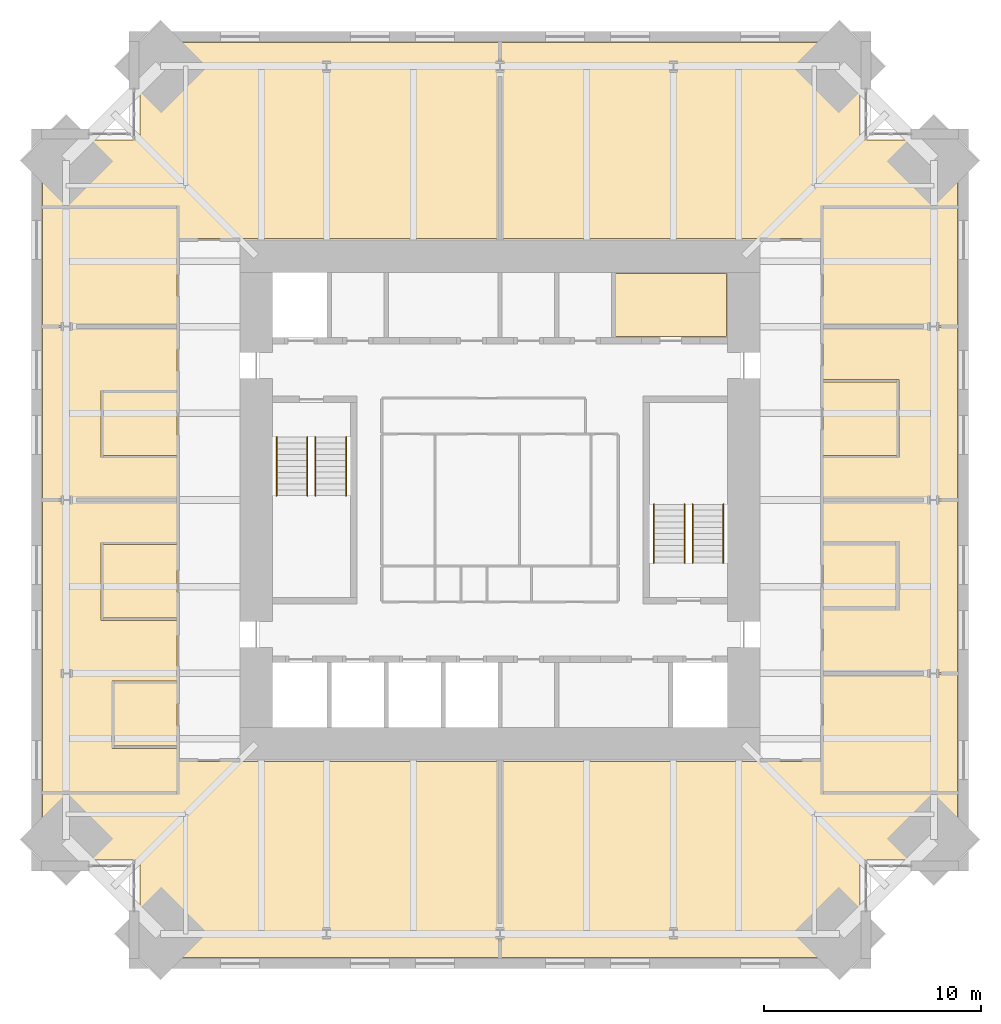
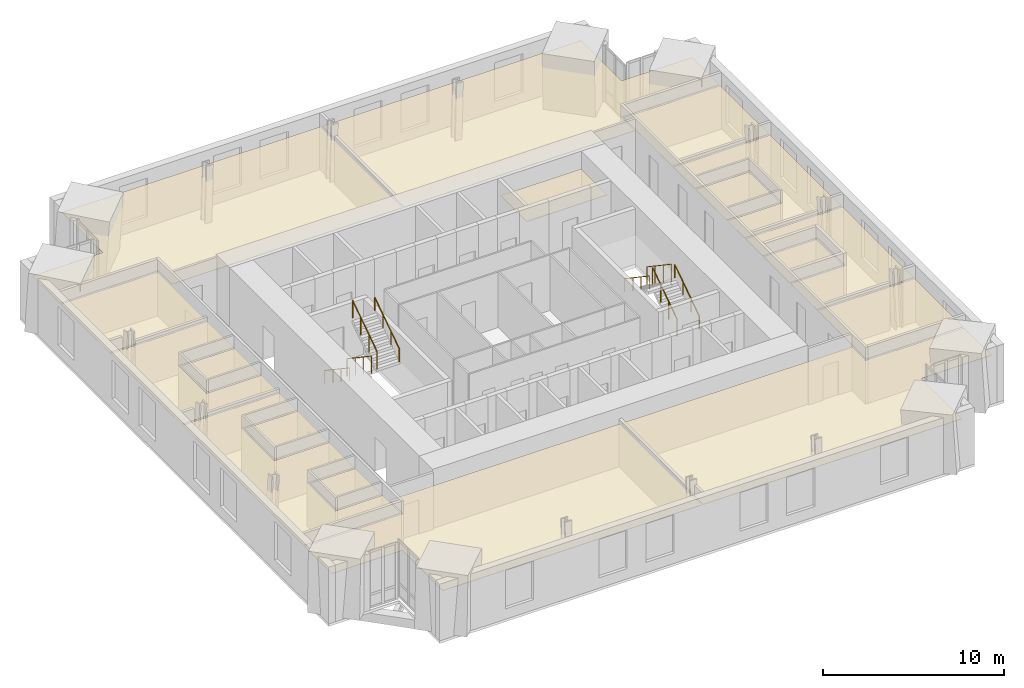
# One storey, part 16 of 16: 17 coverings, 8 railings.
"""IFC4 building model written with IfcOpenShell, lengths in metres."""

from ifc_helpers import new_model, si_unit, direction, frame, origin, origin_2d, place, context, subcontext, project, spatial, polyline, circle, outline, extrude, material, layer, layer_set, type_object, element, save


model = new_model("IFC4")

# Units and contexts
model_context = context("Model", 3, precision=1e-05, world=origin(), true_north=direction((0.0, 1.0)))
body_context = subcontext(model_context, "Body", "Model", "MODEL_VIEW")
ifc_project = project(units=[si_unit("LENGTHUNIT", "METRE"), si_unit("AREAUNIT", "SQUARE_METRE"), si_unit("VOLUMEUNIT", "CUBIC_METRE"), si_unit("PLANEANGLEUNIT", "RADIAN"), si_unit("MASSUNIT", "GRAM", prefix="KILO")], contexts=[model_context])

# Site, building, storey
site_placement = place(None, origin())
site = spatial("IfcSite", under=ifc_project, at=site_placement, CompositionType="ELEMENT")
building_placement = place(site_placement, origin())
building = spatial("IfcBuilding", under=site, at=building_placement, Name="Peilmerk Tower", CompositionType="ELEMENT")
storey_placement = place(building_placement, frame((0.0, 0.0, 269.800048828125)))
storey = spatial("IfcBuildingStorey", under=building, at=storey_placement, Name="L60", CompositionType="ELEMENT", Elevation=269.800048828125)

# Coverings
ifc_material_1 = material(Name="Mineral fibre ceiling tiles", Category="mineral")
ifc_layer = layer(ifc_material_1, 0.02490234375)
ifc_layer_set = layer_set([ifc_layer], Name="Mineral fibre ceiling tiles")
covering_type = type_object("IfcCoveringType", Name="CL1 25 suspended ceiling", PredefinedType="CEILING", material=ifc_layer_set)
covering_1_placement = place(storey_placement, frame((0.0, 0.0, 2.905029296875)))
element("IfcCovering", 1, at=covering_1_placement, inside=storey, type_object=covering_type, Name="Suspended ceiling Office", PredefinedType="CEILING", context=body_context, shape_type="SweptSolid", body=[
    extrude(outline(polyline([(-21.10009765625, 16.60009765625), (-21.10009765625, 13.550048828125), (-14.800048828125, 13.550048828125), (-14.800048828125, 12.050048828125), (-0.050048828125, 12.050048828125), (-0.050048828125, 21.10009765625), (-16.60009765625, 21.10009765625), (-16.60009765625, 16.60009765625), (-21.10009765625, 16.60009765625)])), origin(), (0.0, 0.0, 1.0), 0.02490234375),
])
covering_2_placement = place(storey_placement, frame((0.0, 0.0, 2.905029296875)))
element("IfcCovering", 2, at=covering_2_placement, inside=storey, type_object=covering_type, Name="Suspended ceiling Office", PredefinedType="CEILING", context=body_context, shape_type="SweptSolid", body=[
    extrude(outline(polyline([(16.60009765625, 21.10009765625), (0.050048828125, 21.10009765625), (0.050048828125, 12.050048828125), (14.800048828125, 12.050048828125), (14.800048828125, 13.550048828125), (21.10009765625, 13.550048828125), (21.10009765625, 16.60009765625), (16.60009765625, 16.60009765625), (16.60009765625, 21.10009765625)])), origin(), (0.0, 0.0, 1.0), 0.02490234375),
])
covering_3_placement = place(storey_placement, frame((0.0, 0.0, 2.905029296875)))
element("IfcCovering", 3, at=covering_3_placement, inside=storey, type_object=covering_type, Name="Suspended ceiling Office", PredefinedType="CEILING", context=body_context, shape_type="SweptSolid", body=[
    extrude(outline(polyline([(-16.60009765625, -21.10009765625), (-0.050048828125, -21.10009765625), (-0.050048828125, -12.050048828125), (-14.800048828125, -12.050048828125), (-14.800048828125, -13.550048828125), (-21.10009765625, -13.550048828125), (-21.10009765625, -16.60009765625), (-16.60009765625, -16.60009765625), (-16.60009765625, -21.10009765625)])), origin(), (0.0, 0.0, 1.0), 0.02490234375),
])
covering_4_placement = place(storey_placement, frame((0.0, 0.0, 2.905029296875)))
element("IfcCovering", 4, at=covering_4_placement, inside=storey, type_object=covering_type, Name="Suspended ceiling Office", PredefinedType="CEILING", context=body_context, shape_type="SweptSolid", body=[
    extrude(outline(polyline([(0.050048828125, -21.10009765625), (16.60009765625, -21.10009765625), (16.60009765625, -16.60009765625), (21.10009765625, -16.60009765625), (21.10009765625, -13.550048828125), (14.800048828125, -13.550048828125), (14.800048828125, -12.050048828125), (0.050048828125, -12.050048828125), (0.050048828125, -21.10009765625)])), origin(), (0.0, 0.0, 1.0), 0.02490234375),
])
covering_5_placement = place(storey_placement, frame((0.0, 0.0, 2.905029296875)))
element("IfcCovering", 5, at=covering_5_placement, inside=storey, type_object=covering_type, Name="Suspended ceiling Office", PredefinedType="CEILING", context=body_context, shape_type="SweptSolid", body=[
    extrude(outline(polyline([(21.10009765625, -13.449951171875), (21.10009765625, -8.050048828125), (14.89990234375, -8.050048828125), (14.89990234375, -13.449951171875), (21.10009765625, -13.449951171875)])), origin(), (0.0, 0.0, 1.0), 0.02490234375),
])
covering_6_placement = place(storey_placement, frame((0.0, 0.0, 2.905029296875)))
element("IfcCovering", 6, at=covering_6_placement, inside=storey, type_object=covering_type, Name="Suspended ceiling Office", PredefinedType="CEILING", context=body_context, shape_type="SweptSolid", body=[
    extrude(outline(polyline([(14.89990234375, -7.949951171875), (21.10009765625, -7.949951171875), (21.10009765625, -0.050048828125), (14.89990234375, -0.050048828125), (14.89990234375, -1.949951171875), (18.39990234375, -1.949951171875), (18.39990234375, -5.050048828125), (14.89990234375, -5.050048828125), (14.89990234375, -7.949951171875)])), origin(), (0.0, 0.0, 1.0), 0.02490234375),
])
covering_7_placement = place(storey_placement, frame((0.0, 0.0, 2.905029296875)))
element("IfcCovering", 7, at=covering_7_placement, inside=storey, type_object=covering_type, Name="Suspended ceiling Office", PredefinedType="CEILING", context=body_context, shape_type="SweptSolid", body=[
    extrude(outline(polyline([(14.89990234375, 0.050048828125), (21.10009765625, 0.050048828125), (21.10009765625, 7.949951171875), (14.89990234375, 7.949951171875), (14.89990234375, 5.550048828125), (18.39990234375, 5.550048828125), (18.39990234375, 1.949951171875), (14.89990234375, 1.949951171875), (14.89990234375, 0.050048828125)])), origin(), (0.0, 0.0, 1.0), 0.02490234375),
])
covering_8_placement = place(storey_placement, frame((0.0, 0.0, 2.905029296875)))
element("IfcCovering", 8, at=covering_8_placement, inside=storey, type_object=covering_type, Name="Suspended ceiling Office", PredefinedType="CEILING", context=body_context, shape_type="SweptSolid", body=[
    extrude(outline(polyline([(21.10009765625, 8.050048828125), (21.10009765625, 13.449951171875), (14.89990234375, 13.449951171875), (14.89990234375, 8.050048828125), (21.10009765625, 8.050048828125)])), origin(), (0.0, 0.0, 1.0), 0.02490234375),
])
covering_9_placement = place(storey_placement, frame((0.0, 0.0, 2.905029296875)))
element("IfcCovering", 9, at=covering_9_placement, inside=storey, type_object=covering_type, Name="Suspended ceiling Meeting room", PredefinedType="CEILING", context=body_context, shape_type="SweptSolid", body=[
    extrude(outline(polyline([(18.300048828125, 2.050048828125), (18.300048828125, 5.449951171875), (14.89990234375, 5.449951171875), (14.89990234375, 2.050048828125), (18.300048828125, 2.050048828125)])), origin(), (0.0, 0.0, 1.0), 0.02490234375),
])
covering_10_placement = place(storey_placement, frame((0.0, 0.0, 2.905029296875)))
element("IfcCovering", 10, at=covering_10_placement, inside=storey, type_object=covering_type, Name="Suspended ceiling Wellness room", PredefinedType="CEILING", context=body_context, shape_type="SweptSolid", body=[
    extrude(outline(polyline([(18.300048828125, -4.949951171875), (18.300048828125, -2.050048828125), (14.89990234375, -2.050048828125), (14.89990234375, -4.949951171875), (18.300048828125, -4.949951171875)])), origin(), (0.0, 0.0, 1.0), 0.02490234375),
])
covering_11_placement = place(storey_placement, frame((0.0, 0.0, 2.905029296875)))
element("IfcCovering", 11, at=covering_11_placement, inside=storey, type_object=covering_type, Name="Suspended ceiling Library", PredefinedType="CEILING", context=body_context, shape_type="SweptSolid", body=[
    extrude(outline(polyline([(-14.89990234375, -0.050048828125), (-21.10009765625, -0.050048828125), (-21.10009765625, -13.449951171875), (-14.89990234375, -13.449951171875), (-14.89990234375, -11.449951171875), (-17.89990234375, -11.449951171875), (-17.89990234375, -8.35009765625), (-14.89990234375, -8.35009765625), (-14.89990234375, -5.550048828125), (-18.39990234375, -5.550048828125), (-18.39990234375, -1.949951171875), (-14.89990234375, -1.949951171875), (-14.89990234375, -0.050048828125)])), origin(), (0.0, 0.0, 1.0), 0.02490234375),
])
covering_12_placement = place(storey_placement, frame((0.0, 0.0, 2.905029296875)))
element("IfcCovering", 12, at=covering_12_placement, inside=storey, type_object=covering_type, Name="Suspended ceiling Office", PredefinedType="CEILING", context=body_context, shape_type="SweptSolid", body=[
    extrude(outline(polyline([(-14.89990234375, 7.949951171875), (-21.10009765625, 7.949951171875), (-21.10009765625, 0.050048828125), (-14.89990234375, 0.050048828125), (-14.89990234375, 1.949951171875), (-18.39990234375, 1.949951171875), (-18.39990234375, 5.050048828125), (-14.89990234375, 5.050048828125), (-14.89990234375, 7.949951171875)])), origin(), (0.0, 0.0, 1.0), 0.02490234375),
])
covering_13_placement = place(storey_placement, frame((0.0, 0.0, 2.905029296875)))
element("IfcCovering", 13, at=covering_13_placement, inside=storey, type_object=covering_type, Name="Suspended ceiling Office", PredefinedType="CEILING", context=body_context, shape_type="SweptSolid", body=[
    extrude(outline(polyline([(-21.10009765625, 13.449951171875), (-21.10009765625, 8.050048828125), (-14.89990234375, 8.050048828125), (-14.89990234375, 13.449951171875), (-21.10009765625, 13.449951171875)])), origin(), (0.0, 0.0, 1.0), 0.02490234375),
])
covering_14_placement = place(storey_placement, frame((0.0, 0.0, 2.905029296875)))
element("IfcCovering", 14, at=covering_14_placement, inside=storey, type_object=covering_type, Name="Suspended ceiling Pantry", PredefinedType="CEILING", context=body_context, shape_type="SweptSolid", body=[
    extrude(outline(polyline([(-14.89990234375, 2.050048828125), (-14.89990234375, 4.949951171875), (-18.300048828125, 4.949951171875), (-18.300048828125, 2.050048828125), (-14.89990234375, 2.050048828125)])), origin(), (0.0, 0.0, 1.0), 0.02490234375),
])
covering_15_placement = place(storey_placement, frame((0.0, 0.0, 2.905029296875)))
element("IfcCovering", 15, at=covering_15_placement, inside=storey, type_object=covering_type, Name="Suspended ceiling Meeting room", PredefinedType="CEILING", context=body_context, shape_type="SweptSolid", body=[
    extrude(outline(polyline([(-14.89990234375, -5.449951171875), (-14.89990234375, -2.050048828125), (-18.300048828125, -2.050048828125), (-18.300048828125, -5.449951171875), (-14.89990234375, -5.449951171875)])), origin(), (0.0, 0.0, 1.0), 0.02490234375),
])
covering_16_placement = place(storey_placement, frame((0.0, 0.0, 2.905029296875)))
element("IfcCovering", 16, at=covering_16_placement, inside=storey, type_object=covering_type, Name="Suspended ceiling Quiet room", PredefinedType="CEILING", context=body_context, shape_type="SweptSolid", body=[
    extrude(outline(polyline([(-14.89990234375, -11.35009765625), (-14.89990234375, -8.449951171875), (-17.800048828125, -8.449951171875), (-17.800048828125, -11.35009765625), (-14.89990234375, -11.35009765625)])), origin(), (0.0, 0.0, 1.0), 0.02490234375),
])
covering_17_placement = place(storey_placement, frame((0.0, 0.0, 2.824951171875)))
element("IfcCovering", 17, at=covering_17_placement, inside=storey, type_object=covering_type, Name="Suspended ceiling Pantry", PredefinedType="CEILING", context=body_context, shape_type="SweptSolid", body=[
    extrude(outline(polyline([(10.448974609375, 7.551025390625), (10.448974609375, 10.448974609375), (5.301025390625, 10.448974609375), (5.301025390625, 7.551025390625), (10.448974609375, 7.551025390625)])), origin(), (0.0, 0.0, 1.0), 0.02490234375),
])

# Railings
ifc_material_2 = material(Name="Steel flat bar balustrade", Category="steel")
railing_type_1 = type_object("IfcRailingType", Name="GR1 1200 stair guard", PredefinedType="GUARDRAIL", material=ifc_material_2)
railing_1_placement = place(storey_placement, frame((-8.8798828125, 2.89990234375, 0.181884765625)))
element("IfcRailing", 18, at=railing_1_placement, inside=storey, type_object=railing_type_1, Name="Guard stair 1 L60", PredefinedType="GUARDRAIL", context=body_context, shape_type="SweptSolid", body=[
    extrude(circle(Radius=0.02392578125, at=origin_2d()), frame((0.0, 0.0, 1.17578125), z_axis=(0.0, -0.829468130872, 0.55855404382), x_axis=(1.0, 0.0, 0.0)), (0.0, 0.0, 1.0), 3.255126953125),
    extrude(circle(Radius=0.02099609375, at=origin_2d()), origin(), (0.0, 0.0, 1.0), 1.15185546875),
    extrude(circle(Radius=0.02099609375, at=origin_2d()), frame((0.0, -0.89990234375, 0.60595703125)), (0.0, 0.0, 1.0), 1.15185546875),
    extrude(circle(Radius=0.02099609375, at=origin_2d()), frame((0.0, -1.800048828125, 1.212158203125)), (0.0, 0.0, 1.0), 1.15185546875),
    extrude(circle(Radius=0.02099609375, at=origin_2d()), frame((0.0, -2.699951171875, 1.818115234375)), (0.0, 0.0, 1.0), 1.15185546875),
])
for number, where, name in (
    (19, (-8.52001953125, 0.199951171875, 2.181884765625), "Guard stair 1 L60"),
    (20, (8.8798828125, -2.89990234375, 0.181884765625), "Guard stair 2 L60"),
):
    element("IfcRailing", number, at=place(storey_placement, frame(where)), inside=storey, type_object=railing_type_1, Name=name, PredefinedType="GUARDRAIL", context=body_context, shape_type="SweptSolid", body=[
        extrude(circle(Radius=0.02392578125, at=origin_2d()), frame((0.0, 0.0, 1.17578125), z_axis=(0.0, 0.829468130872, 0.55855404382), x_axis=(-1.0, 0.0, 0.0)), (0.0, 0.0, 1.0), 3.255126953125),
        extrude(circle(Radius=0.02099609375, at=origin_2d()), origin(), (0.0, 0.0, 1.0), 1.15185546875),
        extrude(circle(Radius=0.02099609375, at=origin_2d()), frame((0.0, 0.89990234375, 0.60595703125)), (0.0, 0.0, 1.0), 1.15185546875),
        extrude(circle(Radius=0.02099609375, at=origin_2d()), frame((0.0, 1.800048828125, 1.212158203125)), (0.0, 0.0, 1.0), 1.15185546875),
        extrude(circle(Radius=0.02099609375, at=origin_2d()), frame((0.0, 2.699951171875, 1.818115234375)), (0.0, 0.0, 1.0), 1.15185546875),
    ])
railing_2_placement = place(storey_placement, frame((8.52001953125, -0.199951171875, 2.181884765625)))
element("IfcRailing", 21, at=railing_2_placement, inside=storey, type_object=railing_type_1, Name="Guard stair 2 L60", PredefinedType="GUARDRAIL", context=body_context, shape_type="SweptSolid", body=[
    extrude(circle(Radius=0.02392578125, at=origin_2d()), frame((0.0, 0.0, 1.17578125), z_axis=(0.0, -0.829468130872, 0.55855404382), x_axis=(1.0, 0.0, 0.0)), (0.0, 0.0, 1.0), 3.255126953125),
    extrude(circle(Radius=0.02099609375, at=origin_2d()), origin(), (0.0, 0.0, 1.0), 1.15185546875),
    extrude(circle(Radius=0.02099609375, at=origin_2d()), frame((0.0, -0.89990234375, 0.60595703125)), (0.0, 0.0, 1.0), 1.15185546875),
    extrude(circle(Radius=0.02099609375, at=origin_2d()), frame((0.0, -1.800048828125, 1.212158203125)), (0.0, 0.0, 1.0), 1.15185546875),
    extrude(circle(Radius=0.02099609375, at=origin_2d()), frame((0.0, -2.699951171875, 1.818115234375)), (0.0, 0.0, 1.0), 1.15185546875),
])
ifc_material_3 = material(Name="Stainless steel tube", Category="steel")
railing_type_2 = type_object("IfcRailingType", Name="HR1 900 stair handrail", PredefinedType="HANDRAIL", material=ifc_material_3)
railing_3_placement = place(storey_placement, frame((-10.300048828125, 2.89990234375, 0.181884765625)))
element("IfcRailing", 22, at=railing_3_placement, inside=storey, type_object=railing_type_2, Name="Handrail stair 1 L60", PredefinedType="HANDRAIL", context=body_context, shape_type="SweptSolid", body=[
    extrude(circle(Radius=0.02392578125, at=origin_2d()), frame((0.0, 0.0, 0.8759765625), z_axis=(0.0, -0.829468130872, 0.55855404382), x_axis=(1.0, 0.0, 0.0)), (0.0, 0.0, 1.0), 3.255126953125),
    extrude(circle(Radius=0.02099609375, at=origin_2d()), origin(), (0.0, 0.0, 1.0), 0.851806640625),
    extrude(circle(Radius=0.02099609375, at=origin_2d()), frame((0.0, -0.89990234375, 0.60595703125)), (0.0, 0.0, 1.0), 0.851806640625),
    extrude(circle(Radius=0.02099609375, at=origin_2d()), frame((0.0, -1.800048828125, 1.212158203125)), (0.0, 0.0, 1.0), 0.851806640625),
    extrude(circle(Radius=0.02099609375, at=origin_2d()), frame((0.0, -2.699951171875, 1.818115234375)), (0.0, 0.0, 1.0), 0.851806640625),
])
for number, where, name in (
    (23, (-7.10009765625, 0.199951171875, 2.181884765625), "Handrail stair 1 L60"),
    (24, (10.300048828125, -2.89990234375, 0.181884765625), "Handrail stair 2 L60"),
):
    element("IfcRailing", number, at=place(storey_placement, frame(where)), inside=storey, type_object=railing_type_2, Name=name, PredefinedType="HANDRAIL", context=body_context, shape_type="SweptSolid", body=[
        extrude(circle(Radius=0.02392578125, at=origin_2d()), frame((0.0, 0.0, 0.8759765625), z_axis=(0.0, 0.829468130872, 0.55855404382), x_axis=(-1.0, 0.0, 0.0)), (0.0, 0.0, 1.0), 3.255126953125),
        extrude(circle(Radius=0.02099609375, at=origin_2d()), origin(), (0.0, 0.0, 1.0), 0.851806640625),
        extrude(circle(Radius=0.02099609375, at=origin_2d()), frame((0.0, 0.89990234375, 0.60595703125)), (0.0, 0.0, 1.0), 0.851806640625),
        extrude(circle(Radius=0.02099609375, at=origin_2d()), frame((0.0, 1.800048828125, 1.212158203125)), (0.0, 0.0, 1.0), 0.851806640625),
        extrude(circle(Radius=0.02099609375, at=origin_2d()), frame((0.0, 2.699951171875, 1.818115234375)), (0.0, 0.0, 1.0), 0.851806640625),
    ])
railing_4_placement = place(storey_placement, frame((7.10009765625, -0.199951171875, 2.181884765625)))
element("IfcRailing", 25, at=railing_4_placement, inside=storey, type_object=railing_type_2, Name="Handrail stair 2 L60", PredefinedType="HANDRAIL", context=body_context, shape_type="SweptSolid", body=[
    extrude(circle(Radius=0.02392578125, at=origin_2d()), frame((0.0, 0.0, 0.8759765625), z_axis=(0.0, -0.829468130872, 0.55855404382), x_axis=(1.0, 0.0, 0.0)), (0.0, 0.0, 1.0), 3.255126953125),
    extrude(circle(Radius=0.02099609375, at=origin_2d()), origin(), (0.0, 0.0, 1.0), 0.851806640625),
    extrude(circle(Radius=0.02099609375, at=origin_2d()), frame((0.0, -0.89990234375, 0.60595703125)), (0.0, 0.0, 1.0), 0.851806640625),
    extrude(circle(Radius=0.02099609375, at=origin_2d()), frame((0.0, -1.800048828125, 1.212158203125)), (0.0, 0.0, 1.0), 0.851806640625),
    extrude(circle(Radius=0.02099609375, at=origin_2d()), frame((0.0, -2.699951171875, 1.818115234375)), (0.0, 0.0, 1.0), 0.851806640625),
])

save(model, "model.ifc")
